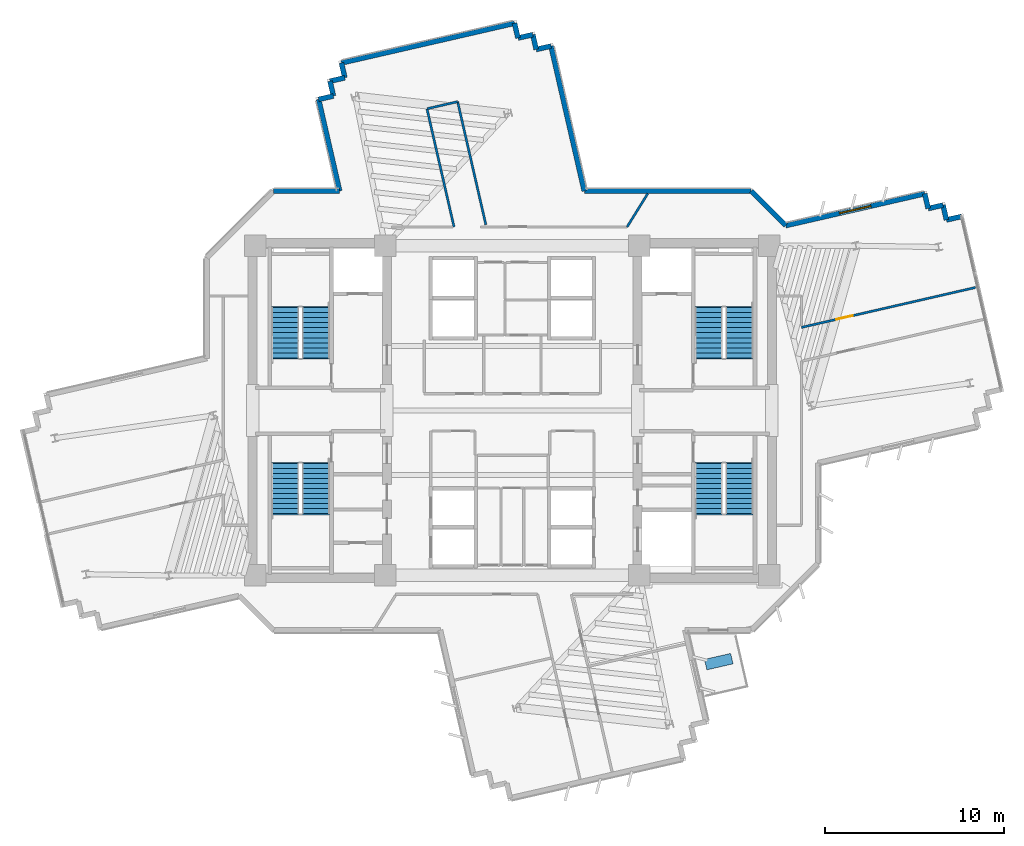
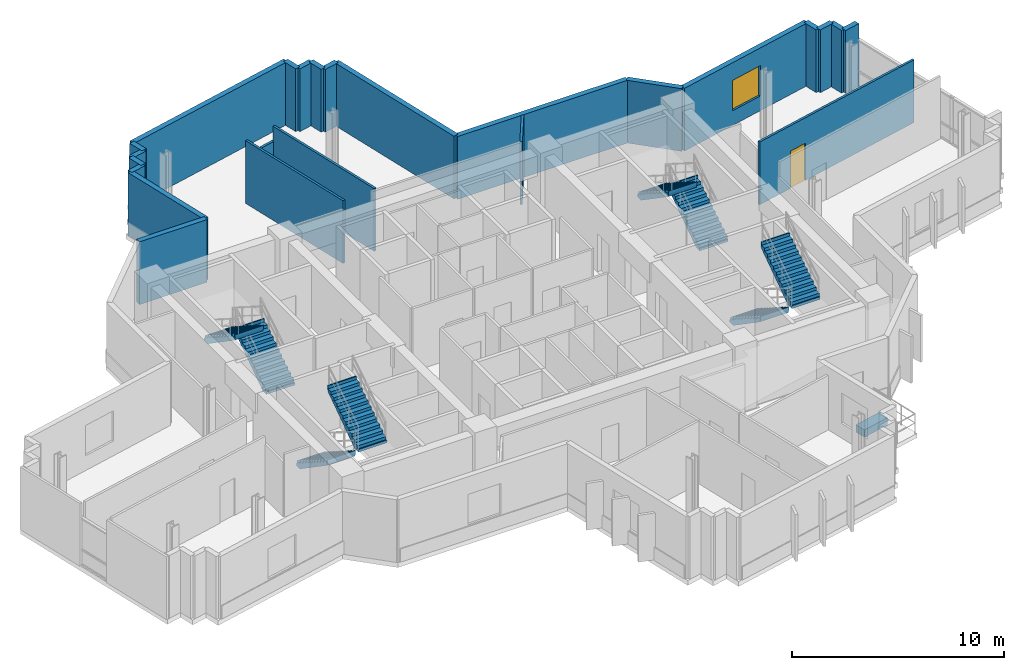
# One storey, part 10 of 13: 24 walls, 8 stair flights, 1 discrete accessory, 1 door, 1 window, 2 openings, 4 elements without a shape of their own.
"""IFC4 building model written with IfcOpenShell, lengths in metres."""

from ifc_helpers import new_model, si_unit, direction, frame, frame_2d, origin, origin_2d, place, context, subcontext, project, spatial, polyline, rectangle, outline, extrude, source, transform, mapped, material, layer, layer_set, type_object, element, fill, aggregate, save


model = new_model("IFC4")

# Units and contexts
model_context = context("Model", 3, precision=1e-05, world=origin(), true_north=direction((0.0, 1.0)))
body_context = subcontext(model_context, "Body", "Model", "MODEL_VIEW")
ifc_project = project(units=[si_unit("LENGTHUNIT", "METRE"), si_unit("AREAUNIT", "SQUARE_METRE"), si_unit("VOLUMEUNIT", "CUBIC_METRE"), si_unit("PLANEANGLEUNIT", "RADIAN"), si_unit("MASSUNIT", "GRAM", prefix="KILO")], contexts=[model_context])

# Site, building, storey
site_placement = place(None, origin())
site = spatial("IfcSite", under=ifc_project, at=site_placement, CompositionType="ELEMENT")
building_placement = place(site_placement, origin())
building = spatial("IfcBuilding", under=site, at=building_placement, Name="Zahravan Cultural Tower", CompositionType="ELEMENT")
storey_placement = place(building_placement, frame((0.0, 0.0, 174.60009765625)))
storey = spatial("IfcBuildingStorey", under=building, at=storey_placement, Name="L40", CompositionType="ELEMENT", Elevation=174.60009765625)

# Wall, opening, window
ifc_material_1 = material(Name="Precast concrete C40/50", Category="concrete")
ifc_layer_1 = layer(ifc_material_1, 0.280029296875)
ifc_layer_set_1 = layer_set([ifc_layer_1], Name="Precast concrete C40/50")
wall_type_1 = type_object("IfcWallType", Name="EW-TC-280", PredefinedType="SOLIDWALL", material=ifc_layer_set_1)
wall_1_placement = place(storey_placement, frame((51.266845703125, 37.335205078125, 0.0), z_axis=(0.0, 0.0, 1.0), x_axis=(0.974683655327, 0.223588398711, 0.0)))
wall_1 = element("IfcWall", 1, at=wall_1_placement, inside=storey, type_object=wall_type_1, Name="L40 Exterior Masonry Frame Wall 01", PredefinedType="SOLIDWALL", context=body_context, shape_type="SweptSolid", body=[
    extrude(rectangle(XDim=7.96875, YDim=0.280029296875, at=frame_2d((3.984375, 0.0))), origin(), (0.0, 0.0, 1.0), 3.619873046875),
])
opening_1_placement = place(wall_1_placement, frame((3.083984375, 0.0, 0.85009765625)))
opening_1 = element("IfcOpeningElement", 2, at=opening_1_placement, cuts=wall_1, Name="Opening WN-02", PredefinedType="OPENING", context=body_context, shape_type="SweptSolid", body=[
    extrude(rectangle(XDim=1.800048828125, YDim=1.75, at=frame_2d((0.89990234375, 0.875))), frame((0.0, 0.14990234375, 0.0), z_axis=(0.0, -1.0, 0.0), x_axis=(1.0, 0.0, 0.0)), (0.0, 0.0, 1.0), 0.300048828125),
])
ifc_material_2 = material(Name="Low-E solar-control double glazing", Category="glass")
window_type = type_object("IfcWindowType", Name="WN-REC-1800X1750", PartitioningType="DOUBLE_PANEL_VERTICAL", PredefinedType="WINDOW", material=ifc_material_2)
shared_shape_1 = source(origin(), body_context, "Body", "SweptSolid", [
    extrude(rectangle(XDim=1.800048828125, YDim=1.75, at=frame_2d((0.89990234375, 0.875))), frame((0.0, 0.030029296875, 0.0), z_axis=(0.0, -1.0, 0.0), x_axis=(1.0, 0.0, 0.0)), (0.0, 0.0, 1.0), 0.06005859375),
])
window_placement = place(opening_1_placement, origin())
window = element("IfcWindow", 3, at=window_placement, inside=storey, type_object=window_type, Name="L40 Recessed Solar Window 01", OverallHeight=1.75, OverallWidth=1.800048828125, PartitioningType="DOUBLE_PANEL_VERTICAL", PredefinedType="WINDOW", context=body_context, shape_type="MappedRepresentation", body=[
    mapped(shared_shape_1, transform((0.0, 0.0, 0.0), x_axis=(1.0, 0.0, 0.0), y_axis=(0.0, 1.0, 0.0), z_axis=(0.0, 0.0, 1.0), scale=1.0)),
])
fill(opening_1, window)

# Wall, opening, door
ifc_material_3 = material(Name="Gypsum plasterboard partition")
ifc_layer_2 = layer(ifc_material_3, 0.125)
ifc_layer_set_2 = layer_set([ifc_layer_2], Name="Gypsum plasterboard partition")
wall_type_2 = type_object("IfcWallType", Name="W-PART-125", PredefinedType="PARTITIONING", material=ifc_layer_set_2)
wall_2_placement = place(storey_placement, frame((61.8623046875, 33.876708984375, 0.0), z_axis=(0.0, 0.0, 1.0), x_axis=(-0.974682727551, -0.223592443106, 0.0)))
wall_2 = element("IfcWall", 4, at=wall_2_placement, inside=storey, type_object=wall_type_2, Name="L40 Interior Wall 105", PredefinedType="PARTITIONING", context=body_context, shape_type="SweptSolid", body=[
    extrude(rectangle(XDim=9.964599609375, YDim=0.125, at=frame_2d((4.982421875, 0.0))), origin(), (0.0, 0.0, 1.0), 3.619873046875),
])
opening_2_placement = place(wall_2_placement, frame((7.03125, 0.0, 0.0)))
opening_2 = element("IfcOpeningElement", 5, at=opening_2_placement, cuts=wall_2, Name="Opening D-L40-24", PredefinedType="OPENING", context=body_context, shape_type="SweptSolid", body=[
    extrude(rectangle(XDim=0.949951171875, YDim=2.14990234375, at=frame_2d((0.47509765625, 1.074951171875))), frame((0.0, 0.072509765625, 0.0), z_axis=(0.0, -1.0, 0.0), x_axis=(1.0, 0.0, 0.0)), (0.0, 0.0, 1.0), 0.14501953125),
])
ifc_material_4 = material(Name="Anodised bronze-aluminium mullion", Category="aluminium")
door_type = type_object("IfcDoorType", Name="DR-ROOM-950", OperationType="NOTDEFINED", PredefinedType="DOOR", material=ifc_material_4)
shared_shape_2 = source(origin(), body_context, "Body", "SweptSolid", [
    extrude(rectangle(XDim=0.949951171875, YDim=2.14990234375, at=frame_2d((0.47509765625, 1.074951171875))), frame((0.0, 0.02490234375, 0.0), z_axis=(0.0, -1.0, 0.0), x_axis=(1.0, 0.0, 0.0)), (0.0, 0.0, 1.0), 0.050048828125),
])
door_placement = place(opening_2_placement, origin())
door = element("IfcDoor", 6, at=door_placement, inside=storey, type_object=door_type, Name="L40 Door D-L40-24", OperationType="SINGLE_SWING_LEFT", OverallHeight=2.14990234375, OverallWidth=0.949951171875, PredefinedType="DOOR", context=body_context, shape_type="MappedRepresentation", body=[
    mapped(shared_shape_2, transform((0.0, 0.0, 0.0), x_axis=(1.0, 0.0, 0.0), y_axis=(0.0, 1.0, 0.0), z_axis=(0.0, 0.0, 1.0), scale=1.0)),
])
fill(opening_2, door)

# Walls
shared_shape_3 = source(origin(), body_context, "Body", "SweptSolid", [
    extrude(rectangle(XDim=0.85009765625, YDim=0.280029296875, at=frame_2d((0.425048828125, 0.0))), origin(), (0.0, 0.0, 1.0), 3.619873046875),
])
for number, where, z_axis, x_axis, name in (
    (7, (59.033935546875, 39.116943359375, 0.0), (0.0, 0.0, 1.0), (0.223433001597, -0.974719289743, 0.0), "L40 Exterior Masonry Frame Wall 02"),
    (8, (59.223876953125, 38.288330078125, 0.0), (0.0, 0.0, 1.0), (0.974656710285, 0.22370582714, 0.0), "L40 Exterior Masonry Frame Wall 03"),
    (9, (60.052490234375, 38.478515625, 0.0), (0.0, 0.0, 1.0), (0.22370582714, -0.974656710285, 0.0), "L40 Exterior Masonry Frame Wall 04"),
    (10, (26.00830078125, 44.57080078125, 0.0), (0.0, 0.0, 1.0), (-0.223433001597, 0.974719289743, 0.0), "L40 Exterior Masonry Frame Wall 42"),
    (11, (25.818359375, 45.3994140625, 0.0), (0.0, 0.0, 1.0), (0.974719289743, 0.223433001597, 0.0), "L40 Exterior Masonry Frame Wall 43"),
    (12, (36.315673828125, 47.807373046875, 0.0), (0.0, 0.0, 1.0), (0.974719289743, 0.223433001597, 0.0), "L40 Exterior Masonry Frame Wall 47"),
):
    element("IfcWall", number, at=place(storey_placement, frame(where, z_axis=z_axis, x_axis=x_axis)), inside=storey, type_object=wall_type_1, Name=name, PredefinedType="SOLIDWALL", context=body_context, shape_type="MappedRepresentation", body=[
        mapped(shared_shape_3, transform((0.0, 0.0, 0.0), x_axis=(1.0, 0.0, 0.0), y_axis=(0.0, 1.0, 0.0), z_axis=(0.0, 0.0, 1.0), scale=1.0)),
    ])
shared_shape_4 = source(origin(), body_context, "Body", "SweptSolid", [
    extrude(rectangle(XDim=0.849853515625, YDim=0.280029296875, at=frame_2d((0.4248046875, 0.0))), origin(), (0.0, 0.0, 1.0), 3.619873046875),
])
for number, where, z_axis, x_axis, name in (
    (13, (25.179931640625, 44.380859375, 0.0), (0.0, 0.0, 1.0), (0.974704946586, 0.223495563939, 0.0), "L40 Exterior Masonry Frame Wall 41"),
    (14, (26.64697265625, 45.58935546875, 0.0), (0.0, 0.0, 1.0), (-0.223768457828, 0.974642333003, 0.0), "L40 Exterior Masonry Frame Wall 44"),
    (15, (36.12548828125, 48.6357421875, 0.0), (0.0, 0.0, 1.0), (0.223768457828, -0.974642333003, 0.0), "L40 Exterior Masonry Frame Wall 46"),
    (16, (37.144287109375, 47.997314453125, 0.0), (0.0, 0.0, 1.0), (0.223495563939, -0.974704946586, 0.0), "L40 Exterior Masonry Frame Wall 48"),
    (17, (37.334228515625, 47.1689453125, 0.0), (0.0, 0.0, 1.0), (0.974704946586, 0.223495563939, 0.0), "L40 Exterior Masonry Frame Wall 49"),
):
    element("IfcWall", number, at=place(storey_placement, frame(where, z_axis=z_axis, x_axis=x_axis)), inside=storey, type_object=wall_type_1, Name=name, PredefinedType="SOLIDWALL", context=body_context, shape_type="MappedRepresentation", body=[
        mapped(shared_shape_4, transform((0.0, 0.0, 0.0), x_axis=(1.0, 0.0, 0.0), y_axis=(0.0, 1.0, 0.0), z_axis=(0.0, 0.0, 1.0), scale=1.0)),
    ])
shared_shape_5 = source(origin(), body_context, "Body", "SweptSolid", [
    extrude(rectangle(XDim=9.919921875, YDim=0.280029296875, at=frame_2d((4.9599609375, 0.0))), origin(), (0.0, 0.0, 1.0), 3.619873046875),
])
wall_3_placement = place(storey_placement, frame((26.456787109375, 46.417724609375, 0.0), z_axis=(0.0, 0.0, 1.0), x_axis=(0.974682391567, 0.223593907719, 0.0)))
element("IfcWall", 18, at=wall_3_placement, inside=storey, type_object=wall_type_1, Name="L40 Exterior Masonry Frame Wall 45", PredefinedType="SOLIDWALL", context=body_context, shape_type="MappedRepresentation", body=[
    mapped(shared_shape_5, transform((0.0, 0.0, 0.0), x_axis=(1.0, 0.0, 0.0), y_axis=(0.0, 1.0, 0.0), z_axis=(0.0, 0.0, 1.0), scale=1.0)),
])
shared_shape_6 = source(origin(), body_context, "Body", "SweptSolid", [
    extrude(rectangle(XDim=0.849609375, YDim=0.280029296875, at=frame_2d((0.4248046875, 0.0))), origin(), (0.0, 0.0, 1.0), 3.619873046875),
])
wall_4_placement = place(storey_placement, frame((60.24267578125, 37.64990234375, 0.0), z_axis=(0.0, 0.0, 1.0), x_axis=(0.97462794364, 0.22383112267, 0.0)))
element("IfcWall", 19, at=wall_4_placement, inside=storey, type_object=wall_type_1, Name="L40 Exterior Masonry Frame Wall 05", PredefinedType="SOLIDWALL", context=body_context, shape_type="MappedRepresentation", body=[
    mapped(shared_shape_6, transform((0.0, 0.0, 0.0), x_axis=(1.0, 0.0, 0.0), y_axis=(0.0, 1.0, 0.0), z_axis=(0.0, 0.0, 1.0), scale=1.0)),
])
shared_shape_7 = source(origin(), body_context, "Body", "SweptSolid", [
    extrude(rectangle(XDim=2.72216796875, YDim=0.280029296875, at=frame_2d((1.361083984375, 0.0))), origin(), (0.0, 0.0, 1.0), 3.619873046875),
])
wall_5_placement = place(storey_placement, frame((49.342041015625, 39.260009765625, 0.0), z_axis=(0.0, 0.0, 1.0), x_axis=(0.707106781187, -0.707106781187, 0.0)))
element("IfcWall", 20, at=wall_5_placement, inside=storey, type_object=wall_type_1, Name="L40 Exterior Masonry Frame Wall 52", PredefinedType="SOLIDWALL", context=body_context, shape_type="MappedRepresentation", body=[
    mapped(shared_shape_7, transform((0.0, 0.0, 0.0), x_axis=(1.0, 0.0, 0.0), y_axis=(0.0, 1.0, 0.0), z_axis=(0.0, 0.0, 1.0), scale=1.0)),
])
shared_shape_8 = source(origin(), body_context, "Body", "SweptSolid", [
    extrude(rectangle(XDim=3.696533203125, YDim=0.280029296875, at=frame_2d((1.84814453125, 0.0))), origin(), (0.0, 0.0, 1.0), 3.619873046875),
])
wall_6_placement = place(storey_placement, frame((22.657958984375, 39.260009765625, 0.0), z_axis=(0.0, 0.0, 1.0), x_axis=(1.0, 0.0, 0.0)))
element("IfcWall", 21, at=wall_6_placement, inside=storey, type_object=wall_type_1, Name="L40 Exterior Masonry Frame Wall 39", PredefinedType="SOLIDWALL", context=body_context, shape_type="MappedRepresentation", body=[
    mapped(shared_shape_8, transform((0.0, 0.0, 0.0), x_axis=(1.0, 0.0, 0.0), y_axis=(0.0, 1.0, 0.0), z_axis=(0.0, 0.0, 1.0), scale=1.0)),
])
shared_shape_9 = source(origin(), body_context, "Body", "SweptSolid", [
    extrude(rectangle(XDim=5.25390625, YDim=0.280029296875, at=frame_2d((2.626953125, 0.0))), origin(), (0.0, 0.0, 1.0), 3.619873046875),
])
wall_7_placement = place(storey_placement, frame((26.3544921875, 39.260009765625, 0.0), z_axis=(0.0, 0.0, 1.0), x_axis=(-0.223562871808, 0.974689510741, 0.0)))
element("IfcWall", 22, at=wall_7_placement, inside=storey, type_object=wall_type_1, Name="L40 Exterior Masonry Frame Wall 40", PredefinedType="SOLIDWALL", context=body_context, shape_type="MappedRepresentation", body=[
    mapped(shared_shape_9, transform((0.0, 0.0, 0.0), x_axis=(1.0, 0.0, 0.0), y_axis=(0.0, 1.0, 0.0), z_axis=(0.0, 0.0, 1.0), scale=1.0)),
])
shared_shape_10 = source(origin(), body_context, "Body", "SweptSolid", [
    extrude(rectangle(XDim=8.309326171875, YDim=0.280029296875, at=frame_2d((4.15478515625, 0.0))), origin(), (0.0, 0.0, 1.0), 3.619873046875),
])
wall_8_placement = place(storey_placement, frame((38.16259765625, 47.35888671875, 0.0), z_axis=(0.0, 0.0, 1.0), x_axis=(0.223595405455, -0.974682047983, 0.0)))
element("IfcWall", 23, at=wall_8_placement, inside=storey, type_object=wall_type_1, Name="L40 Exterior Masonry Frame Wall 50", PredefinedType="SOLIDWALL", context=body_context, shape_type="MappedRepresentation", body=[
    mapped(shared_shape_10, transform((0.0, 0.0, 0.0), x_axis=(1.0, 0.0, 0.0), y_axis=(0.0, 1.0, 0.0), z_axis=(0.0, 0.0, 1.0), scale=1.0)),
])
shared_shape_11 = source(origin(), body_context, "Body", "SweptSolid", [
    extrude(rectangle(XDim=9.321533203125, YDim=0.280029296875, at=frame_2d((4.66064453125, 0.0))), origin(), (0.0, 0.0, 1.0), 3.619873046875),
])
wall_9_placement = place(storey_placement, frame((40.0205078125, 39.260009765625, 0.0), z_axis=(0.0, 0.0, 1.0), x_axis=(1.0, 0.0, 0.0)))
element("IfcWall", 24, at=wall_9_placement, inside=storey, type_object=wall_type_1, Name="L40 Exterior Masonry Frame Wall 51", PredefinedType="SOLIDWALL", context=body_context, shape_type="MappedRepresentation", body=[
    mapped(shared_shape_11, transform((0.0, 0.0, 0.0), x_axis=(1.0, 0.0, 0.0), y_axis=(0.0, 1.0, 0.0), z_axis=(0.0, 0.0, 1.0), scale=1.0)),
])
shared_shape_12 = source(origin(), body_context, "Body", "SweptSolid", [
    extrude(rectangle(XDim=1.724609375, YDim=0.125, at=frame_2d((0.8623046875, 0.0))), origin(), (0.0, 0.0, 1.0), 2.761962890625),
])
wall_10_placement = place(storey_placement, frame((32.940185546875, 44.25146484375, 0.0), z_axis=(0.0, 0.0, 1.0), x_axis=(-0.974472248715, -0.224507987574, 0.0)))
element("IfcWall", 25, at=wall_10_placement, inside=storey, type_object=wall_type_2, Name="L40 Interior Wall 116", PredefinedType="PARTITIONING", context=body_context, shape_type="MappedRepresentation", body=[
    mapped(shared_shape_12, transform((0.0, 0.0, 0.0), x_axis=(1.0, 0.0, 0.0), y_axis=(0.0, 1.0, 0.0), z_axis=(0.0, 0.0, 1.0), scale=1.0)),
])
shared_shape_13 = source(origin(), body_context, "Body", "SweptSolid", [
    extrude(rectangle(XDim=2.182861328125, YDim=0.125, at=frame_2d((1.09130859375, 0.0))), origin(), (0.0, 0.0, 1.0), 3.619873046875),
])
wall_11_placement = place(storey_placement, frame((42.4091796875, 37.260009765625, 0.0), z_axis=(0.0, 0.0, 1.0), x_axis=(0.527120623754, 0.849790473007, 0.0)))
element("IfcWall", 26, at=wall_11_placement, inside=storey, type_object=wall_type_2, Name="L40 Interior Wall 104", PredefinedType="PARTITIONING", context=body_context, shape_type="MappedRepresentation", body=[
    mapped(shared_shape_13, transform((0.0, 0.0, 0.0), x_axis=(1.0, 0.0, 0.0), y_axis=(0.0, 1.0, 0.0), z_axis=(0.0, 0.0, 1.0), scale=1.0)),
])
shared_shape_14 = source(origin(), body_context, "Body", "SweptSolid", [
    extrude(rectangle(XDim=6.768798828125, YDim=0.125, at=frame_2d((3.38427734375, 0.0))), origin(), (0.0, 0.0, 1.0), 3.619873046875),
])
wall_12_placement = place(storey_placement, frame((31.232666015625, 43.858154296875, 0.0), z_axis=(0.0, 0.0, 1.0), x_axis=(0.223189104044, -0.974775165787, 0.0)))
element("IfcWall", 27, at=wall_12_placement, inside=storey, type_object=wall_type_2, Name="L40 Interior Wall 112", PredefinedType="PARTITIONING", context=body_context, shape_type="MappedRepresentation", body=[
    mapped(shared_shape_14, transform((0.0, 0.0, 0.0), x_axis=(1.0, 0.0, 0.0), y_axis=(0.0, 1.0, 0.0), z_axis=(0.0, 0.0, 1.0), scale=1.0)),
])
shared_shape_15 = source(origin(), body_context, "Body", "SweptSolid", [
    extrude(rectangle(XDim=7.033447265625, YDim=0.125, at=frame_2d((3.5166015625, 0.0))), origin(), (0.0, 0.0, 1.0), 3.619873046875),
])
wall_13_placement = place(storey_placement, frame((34.52001953125, 37.387939453125, 0.0), z_axis=(0.0, 0.0, 1.0), x_axis=(-0.223607001963, 0.974679387631, 0.0)))
element("IfcWall", 28, at=wall_13_placement, inside=storey, type_object=wall_type_2, Name="L40 Interior Wall 115", PredefinedType="PARTITIONING", context=body_context, shape_type="MappedRepresentation", body=[
    mapped(shared_shape_15, transform((0.0, 0.0, 0.0), x_axis=(1.0, 0.0, 0.0), y_axis=(0.0, 1.0, 0.0), z_axis=(0.0, 0.0, 1.0), scale=1.0)),
])

# Stair, stair flights
ifc_material_5 = material(Name="Concrete C45/55", Category="concrete")
stair_type = type_object("IfcStairType", Name="STR-DL-1550-390", PredefinedType="HALF_TURN_STAIR", material=ifc_material_5)
stair_1_placement = place(storey_placement, origin())
stair_1 = element("IfcStair", 29, at=stair_1_placement, inside=storey, type_object=stair_type, Name="L40 West Core North Exit Stair ST-W1", PredefinedType="HALF_TURN_STAIR")
stair_flight_type = type_object("IfcStairFlightType", Name="FLG-DL-1550-390", PredefinedType="STRAIGHT", material=ifc_material_5)
stair_flight_1_placement = place(storey_placement, frame((25.02490234375, 29.949951171875, 0.0), z_axis=(0.0, 0.0, 1.0), x_axis=(0.0, 1.0, 0.0)))
stair_flight_1 = element("IfcStairFlight", 30, at=stair_flight_1_placement, type_object=stair_flight_type, Name="ST-W1 flight 1", NumberOfRisers=11, NumberOfTreads=10, PredefinedType="STRAIGHT", RiserHeight=0.177272727, TreadLength=0.28, context=body_context, shape_type="SweptSolid", body=[
    extrude(outline(polyline([(-0.06494140625, -0.139892578125), (-0.06494140625, 0.0), (0.0, 0.0), (0.0, 0.17724609375), (0.280029296875, 0.17724609375), (0.280029296875, 0.3544921875), (0.56005859375, 0.3544921875), (0.56005859375, 0.53173828125), (0.840087890625, 0.53173828125), (0.840087890625, 0.708984375), (1.1201171875, 0.708984375), (1.1201171875, 0.886474609375), (1.39990234375, 0.886474609375), (1.39990234375, 1.063720703125), (1.679931640625, 1.063720703125), (1.679931640625, 1.240966796875), (1.9599609375, 1.240966796875), (1.9599609375, 1.418212890625), (2.239990234375, 1.418212890625), (2.239990234375, 1.595458984375), (2.52001953125, 1.595458984375), (2.52001953125, 1.772705078125), (2.800048828125, 1.772705078125), (2.800048828125, 1.949951171875), (2.864990234375, 1.949951171875), (2.864990234375, 1.800048828125), (2.800048828125, 1.59521484375), (0.2802734375, -0.139892578125), (-0.06494140625, -0.139892578125)])), frame((0.0, 0.77490234375, 0.0), z_axis=(0.0, -1.0, 0.0), x_axis=(1.0, 0.0, 0.0)), (0.0, 0.0, 1.0), 1.550048828125),
])
stair_flight_2_placement = place(storey_placement, frame((23.324951171875, 32.75, 1.949951171875), z_axis=(0.0, 0.0, 1.0), x_axis=(0.0, -1.0, 0.0)))
stair_flight_2 = element("IfcStairFlight", 31, at=stair_flight_2_placement, type_object=stair_flight_type, Name="ST-W1 flight 2", NumberOfRisers=11, NumberOfTreads=10, PredefinedType="STRAIGHT", RiserHeight=0.177272727, TreadLength=0.28, context=body_context, shape_type="SweptSolid", body=[
    extrude(outline(polyline([(-0.06494140625, -0.139892578125), (-0.06494140625, 0.0), (0.0, 0.0), (0.0, 0.17724609375), (0.280029296875, 0.17724609375), (0.280029296875, 0.3544921875), (0.56005859375, 0.3544921875), (0.56005859375, 0.53173828125), (0.840087890625, 0.53173828125), (0.840087890625, 0.708984375), (1.1201171875, 0.708984375), (1.1201171875, 0.886474609375), (1.39990234375, 0.886474609375), (1.39990234375, 1.063720703125), (1.679931640625, 1.063720703125), (1.679931640625, 1.240966796875), (1.9599609375, 1.240966796875), (1.9599609375, 1.418212890625), (2.239990234375, 1.418212890625), (2.239990234375, 1.595458984375), (2.52001953125, 1.595458984375), (2.52001953125, 1.772705078125), (2.800048828125, 1.772705078125), (2.800048828125, 1.949951171875), (2.864990234375, 1.949951171875), (2.864990234375, 1.800048828125), (2.800048828125, 1.59521484375), (0.2802734375, -0.139892578125), (-0.06494140625, -0.139892578125)])), frame((0.0, 0.77490234375, 0.0), z_axis=(0.0, -1.0, 0.0), x_axis=(1.0, 0.0, 0.0)), (0.0, 0.0, 1.0), 1.550048828125),
])
aggregate(stair_1, [stair_flight_1, stair_flight_2])

stair_2_placement = place(storey_placement, origin())
stair_2 = element("IfcStair", 32, at=stair_2_placement, inside=storey, type_object=stair_type, Name="L40 West Core South Exit Stair ST-W2", PredefinedType="HALF_TURN_STAIR")
stair_flight_3_placement = place(storey_placement, frame((23.324951171875, 24.050048828125, 0.0), z_axis=(0.0, 0.0, 1.0), x_axis=(0.0, -1.0, 0.0)))
stair_flight_3 = element("IfcStairFlight", 33, at=stair_flight_3_placement, type_object=stair_flight_type, Name="ST-W2 flight 1", NumberOfRisers=11, NumberOfTreads=10, PredefinedType="STRAIGHT", RiserHeight=0.177272727, TreadLength=0.28, context=body_context, shape_type="SweptSolid", body=[
    extrude(outline(polyline([(-0.06494140625, -0.139892578125), (-0.06494140625, 0.0), (0.0, 0.0), (0.0, 0.17724609375), (0.280029296875, 0.17724609375), (0.280029296875, 0.3544921875), (0.56005859375, 0.3544921875), (0.56005859375, 0.53173828125), (0.840087890625, 0.53173828125), (0.840087890625, 0.708984375), (1.1201171875, 0.708984375), (1.1201171875, 0.886474609375), (1.39990234375, 0.886474609375), (1.39990234375, 1.063720703125), (1.679931640625, 1.063720703125), (1.679931640625, 1.240966796875), (1.9599609375, 1.240966796875), (1.9599609375, 1.418212890625), (2.239990234375, 1.418212890625), (2.239990234375, 1.595458984375), (2.52001953125, 1.595458984375), (2.52001953125, 1.772705078125), (2.800048828125, 1.772705078125), (2.800048828125, 1.949951171875), (2.864990234375, 1.949951171875), (2.864990234375, 1.800048828125), (2.800048828125, 1.59521484375), (0.2802734375, -0.139892578125), (-0.06494140625, -0.139892578125)])), frame((0.0, 0.77490234375, 0.0), z_axis=(0.0, -1.0, 0.0), x_axis=(1.0, 0.0, 0.0)), (0.0, 0.0, 1.0), 1.550048828125),
])
stair_flight_4_placement = place(storey_placement, frame((25.02490234375, 21.25, 1.949951171875), z_axis=(0.0, 0.0, 1.0), x_axis=(0.0, 1.0, 0.0)))
stair_flight_4 = element("IfcStairFlight", 34, at=stair_flight_4_placement, type_object=stair_flight_type, Name="ST-W2 flight 2", NumberOfRisers=11, NumberOfTreads=10, PredefinedType="STRAIGHT", RiserHeight=0.177272727, TreadLength=0.28, context=body_context, shape_type="SweptSolid", body=[
    extrude(outline(polyline([(-0.06494140625, -0.139892578125), (-0.06494140625, 0.0), (0.0, 0.0), (0.0, 0.17724609375), (0.280029296875, 0.17724609375), (0.280029296875, 0.3544921875), (0.56005859375, 0.3544921875), (0.56005859375, 0.53173828125), (0.840087890625, 0.53173828125), (0.840087890625, 0.708984375), (1.1201171875, 0.708984375), (1.1201171875, 0.886474609375), (1.39990234375, 0.886474609375), (1.39990234375, 1.063720703125), (1.679931640625, 1.063720703125), (1.679931640625, 1.240966796875), (1.9599609375, 1.240966796875), (1.9599609375, 1.418212890625), (2.239990234375, 1.418212890625), (2.239990234375, 1.595458984375), (2.52001953125, 1.595458984375), (2.52001953125, 1.772705078125), (2.800048828125, 1.772705078125), (2.800048828125, 1.949951171875), (2.864990234375, 1.949951171875), (2.864990234375, 1.800048828125), (2.800048828125, 1.59521484375), (0.2802734375, -0.139892578125), (-0.06494140625, -0.139892578125)])), frame((0.0, 0.77490234375, 0.0), z_axis=(0.0, -1.0, 0.0), x_axis=(1.0, 0.0, 0.0)), (0.0, 0.0, 1.0), 1.550048828125),
])
aggregate(stair_2, [stair_flight_3, stair_flight_4])

stair_3_placement = place(storey_placement, origin())
stair_3 = element("IfcStair", 35, at=stair_3_placement, inside=storey, type_object=stair_type, Name="L40 East Core North Exit Stair ST-E1", PredefinedType="HALF_TURN_STAIR")
stair_flight_5_placement = place(storey_placement, frame((48.675048828125, 29.949951171875, 0.0), z_axis=(0.0, 0.0, 1.0), x_axis=(0.0, 1.0, 0.0)))
stair_flight_5 = element("IfcStairFlight", 36, at=stair_flight_5_placement, type_object=stair_flight_type, Name="ST-E1 flight 1", NumberOfRisers=11, NumberOfTreads=10, PredefinedType="STRAIGHT", RiserHeight=0.177272727, TreadLength=0.28, context=body_context, shape_type="SweptSolid", body=[
    extrude(outline(polyline([(-0.06494140625, -0.139892578125), (-0.06494140625, 0.0), (0.0, 0.0), (0.0, 0.17724609375), (0.280029296875, 0.17724609375), (0.280029296875, 0.3544921875), (0.56005859375, 0.3544921875), (0.56005859375, 0.53173828125), (0.840087890625, 0.53173828125), (0.840087890625, 0.708984375), (1.1201171875, 0.708984375), (1.1201171875, 0.886474609375), (1.39990234375, 0.886474609375), (1.39990234375, 1.063720703125), (1.679931640625, 1.063720703125), (1.679931640625, 1.240966796875), (1.9599609375, 1.240966796875), (1.9599609375, 1.418212890625), (2.239990234375, 1.418212890625), (2.239990234375, 1.595458984375), (2.52001953125, 1.595458984375), (2.52001953125, 1.772705078125), (2.800048828125, 1.772705078125), (2.800048828125, 1.949951171875), (2.864990234375, 1.949951171875), (2.864990234375, 1.800048828125), (2.800048828125, 1.59521484375), (0.2802734375, -0.139892578125), (-0.06494140625, -0.139892578125)])), frame((0.0, 0.77490234375, 0.0), z_axis=(0.0, -1.0, 0.0), x_axis=(1.0, 0.0, 0.0)), (0.0, 0.0, 1.0), 1.550048828125),
])
stair_flight_6_placement = place(storey_placement, frame((46.97509765625, 32.75, 1.949951171875), z_axis=(0.0, 0.0, 1.0), x_axis=(0.0, -1.0, 0.0)))
stair_flight_6 = element("IfcStairFlight", 37, at=stair_flight_6_placement, type_object=stair_flight_type, Name="ST-E1 flight 2", NumberOfRisers=11, NumberOfTreads=10, PredefinedType="STRAIGHT", RiserHeight=0.177272727, TreadLength=0.28, context=body_context, shape_type="SweptSolid", body=[
    extrude(outline(polyline([(-0.06494140625, -0.139892578125), (-0.06494140625, 0.0), (0.0, 0.0), (0.0, 0.17724609375), (0.280029296875, 0.17724609375), (0.280029296875, 0.3544921875), (0.56005859375, 0.3544921875), (0.56005859375, 0.53173828125), (0.840087890625, 0.53173828125), (0.840087890625, 0.708984375), (1.1201171875, 0.708984375), (1.1201171875, 0.886474609375), (1.39990234375, 0.886474609375), (1.39990234375, 1.063720703125), (1.679931640625, 1.063720703125), (1.679931640625, 1.240966796875), (1.9599609375, 1.240966796875), (1.9599609375, 1.418212890625), (2.239990234375, 1.418212890625), (2.239990234375, 1.595458984375), (2.52001953125, 1.595458984375), (2.52001953125, 1.772705078125), (2.800048828125, 1.772705078125), (2.800048828125, 1.949951171875), (2.864990234375, 1.949951171875), (2.864990234375, 1.800048828125), (2.800048828125, 1.59521484375), (0.2802734375, -0.139892578125), (-0.06494140625, -0.139892578125)])), frame((0.0, 0.77490234375, 0.0), z_axis=(0.0, -1.0, 0.0), x_axis=(1.0, 0.0, 0.0)), (0.0, 0.0, 1.0), 1.550048828125),
])
aggregate(stair_3, [stair_flight_5, stair_flight_6])

stair_4_placement = place(storey_placement, origin())
stair_4 = element("IfcStair", 38, at=stair_4_placement, inside=storey, type_object=stair_type, Name="L40 East Core South Exit Stair ST-E2", PredefinedType="HALF_TURN_STAIR")
stair_flight_7_placement = place(storey_placement, frame((46.97509765625, 24.050048828125, 0.0), z_axis=(0.0, 0.0, 1.0), x_axis=(0.0, -1.0, 0.0)))
stair_flight_7 = element("IfcStairFlight", 39, at=stair_flight_7_placement, type_object=stair_flight_type, Name="ST-E2 flight 1", NumberOfRisers=11, NumberOfTreads=10, PredefinedType="STRAIGHT", RiserHeight=0.177272727, TreadLength=0.28, context=body_context, shape_type="SweptSolid", body=[
    extrude(outline(polyline([(-0.06494140625, -0.139892578125), (-0.06494140625, 0.0), (0.0, 0.0), (0.0, 0.17724609375), (0.280029296875, 0.17724609375), (0.280029296875, 0.3544921875), (0.56005859375, 0.3544921875), (0.56005859375, 0.53173828125), (0.840087890625, 0.53173828125), (0.840087890625, 0.708984375), (1.1201171875, 0.708984375), (1.1201171875, 0.886474609375), (1.39990234375, 0.886474609375), (1.39990234375, 1.063720703125), (1.679931640625, 1.063720703125), (1.679931640625, 1.240966796875), (1.9599609375, 1.240966796875), (1.9599609375, 1.418212890625), (2.239990234375, 1.418212890625), (2.239990234375, 1.595458984375), (2.52001953125, 1.595458984375), (2.52001953125, 1.772705078125), (2.800048828125, 1.772705078125), (2.800048828125, 1.949951171875), (2.864990234375, 1.949951171875), (2.864990234375, 1.800048828125), (2.800048828125, 1.59521484375), (0.2802734375, -0.139892578125), (-0.06494140625, -0.139892578125)])), frame((0.0, 0.77490234375, 0.0), z_axis=(0.0, -1.0, 0.0), x_axis=(1.0, 0.0, 0.0)), (0.0, 0.0, 1.0), 1.550048828125),
])
stair_flight_8_placement = place(storey_placement, frame((48.675048828125, 21.25, 1.949951171875), z_axis=(0.0, 0.0, 1.0), x_axis=(0.0, 1.0, 0.0)))
stair_flight_8 = element("IfcStairFlight", 40, at=stair_flight_8_placement, type_object=stair_flight_type, Name="ST-E2 flight 2", NumberOfRisers=11, NumberOfTreads=10, PredefinedType="STRAIGHT", RiserHeight=0.177272727, TreadLength=0.28, context=body_context, shape_type="SweptSolid", body=[
    extrude(outline(polyline([(-0.06494140625, -0.139892578125), (-0.06494140625, 0.0), (0.0, 0.0), (0.0, 0.17724609375), (0.280029296875, 0.17724609375), (0.280029296875, 0.3544921875), (0.56005859375, 0.3544921875), (0.56005859375, 0.53173828125), (0.840087890625, 0.53173828125), (0.840087890625, 0.708984375), (1.1201171875, 0.708984375), (1.1201171875, 0.886474609375), (1.39990234375, 0.886474609375), (1.39990234375, 1.063720703125), (1.679931640625, 1.063720703125), (1.679931640625, 1.240966796875), (1.9599609375, 1.240966796875), (1.9599609375, 1.418212890625), (2.239990234375, 1.418212890625), (2.239990234375, 1.595458984375), (2.52001953125, 1.595458984375), (2.52001953125, 1.772705078125), (2.800048828125, 1.772705078125), (2.800048828125, 1.949951171875), (2.864990234375, 1.949951171875), (2.864990234375, 1.800048828125), (2.800048828125, 1.59521484375), (0.2802734375, -0.139892578125), (-0.06494140625, -0.139892578125)])), frame((0.0, 0.77490234375, 0.0), z_axis=(0.0, -1.0, 0.0), x_axis=(1.0, 0.0, 0.0)), (0.0, 0.0, 1.0), 1.550048828125),
])
aggregate(stair_4, [stair_flight_7, stair_flight_8])

# Discrete accessory
ifc_material_6 = material(Name="Planted soil and terracotta planter", Category="masonry")
discrete_accessory_type = type_object("IfcDiscreteAccessoryType", Name="ACC-PLANTER-TC", PredefinedType="USERDEFINED", material=ifc_material_6)
shared_shape_16 = source(origin(), body_context, "Body", "SweptSolid", [
    extrude(rectangle(XDim=1.5, YDim=0.60009765625, at=origin_2d()), origin(), (0.0, 0.0, 1.0), 0.419921875),
])
discrete_accessory_placement = place(storey_placement, frame((47.528564453125, 12.98291015625, 0.0), z_axis=(0.0, 0.0, 1.0), x_axis=(0.974683205815, 0.223590358248, 0.0)))
element("IfcDiscreteAccessory", 41, at=discrete_accessory_placement, inside=storey, type_object=discrete_accessory_type, Name="L40 Terracotta Sculpture Planter SE", ObjectType="PLANTER", PredefinedType="USERDEFINED", context=body_context, shape_type="MappedRepresentation", body=[
    mapped(shared_shape_16, transform((0.0, 0.0, 0.0), x_axis=(1.0, 0.0, 0.0), y_axis=(0.0, 1.0, 0.0), z_axis=(0.0, 0.0, 1.0), scale=1.0)),
])

save(model, "model.ifc")
